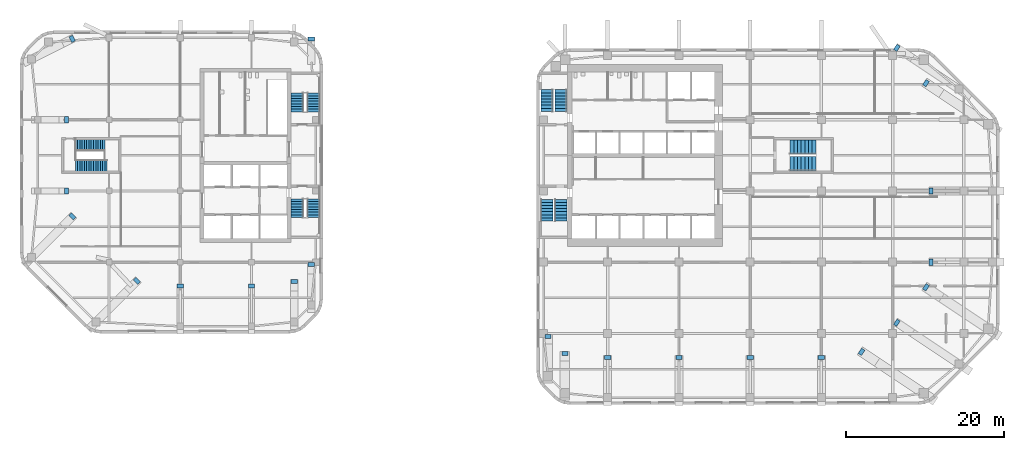
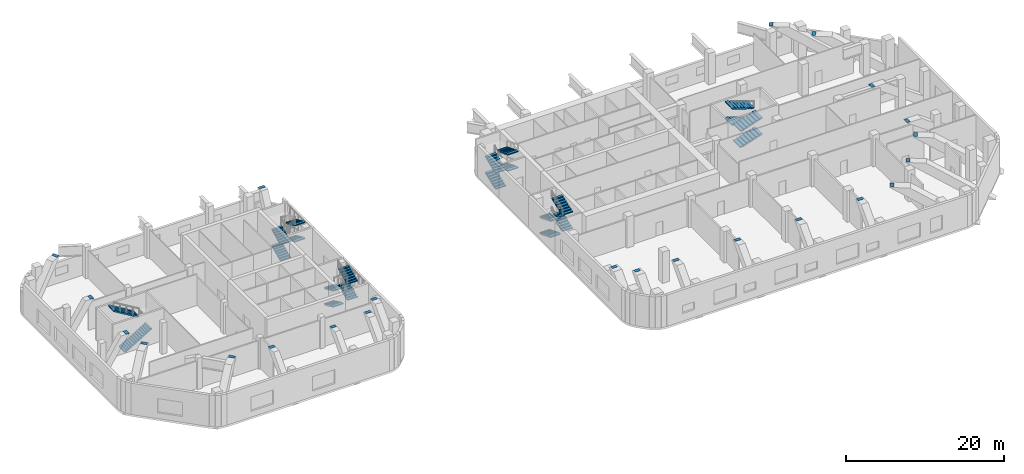
# One storey, part 11 of 14: 23 discrete accessories, 22 stair flights, 6 elements without a shape of their own.
"""IFC4 building model written with IfcOpenShell, lengths in metres."""

from ifc_helpers import new_model, si_unit, direction, frame, origin, origin_2d, place, context, subcontext, project, spatial, polyline, rectangle, outline, extrude, material, type_object, element, aggregate, save


model = new_model("IFC4")

# Units and contexts
model_context = context("Model", 3, precision=1e-05, world=origin(), true_north=direction((0.0, 1.0)))
body_context = subcontext(model_context, "Body", "Model", "MODEL_VIEW")
ifc_project = project(units=[si_unit("LENGTHUNIT", "METRE"), si_unit("AREAUNIT", "SQUARE_METRE"), si_unit("VOLUMEUNIT", "CUBIC_METRE"), si_unit("PLANEANGLEUNIT", "RADIAN"), si_unit("MASSUNIT", "GRAM", prefix="KILO")], contexts=[model_context])

# Site, building, storey
site_placement = place(None, origin())
site = spatial("IfcSite", under=ifc_project, at=site_placement, CompositionType="ELEMENT")
building_placement = place(site_placement, origin())
building = spatial("IfcBuilding", under=site, at=building_placement, Name="Cinnabar Reach Civic Tower", CompositionType="ELEMENT")
storey_placement = place(building_placement, frame((0.0, 0.0, 95.0)))
storey = spatial("IfcBuildingStorey", under=building, at=storey_placement, Name="L22", CompositionType="ELEMENT", Elevation=95.0)

# Stair, stair flights
ifc_material_1 = material(Name="Concrete C40/50", Category="concrete")
stair_type_1 = type_object("IfcStairType", Name="T1 Exit stair, double return", PredefinedType="DOUBLE_RETURN_STAIR", material=ifc_material_1)
stair_1_placement = place(storey_placement, origin())
stair_1 = element("IfcStair", 1, at=stair_1_placement, inside=storey, type_object=stair_type_1, Name="Stair T1-S1", PredefinedType="DOUBLE_RETURN_STAIR")
stair_flight_type_1 = type_object("IfcStairFlightType", Name="T1 Stair flight, concrete", PredefinedType="STRAIGHT", material=ifc_material_1)
stair_flight_1_placement = place(storey_placement, frame((1.3125, 25.95, 0.0), z_axis=(0.0, 0.0, 1.0), x_axis=(0.0, -1.0, 0.0)))
stair_flight_1 = element("IfcStairFlight", 2, at=stair_flight_1_placement, type_object=stair_flight_type_1, Name="T1-S1 flight 1", NumberOfRisers=8, NumberOfTreads=7, PredefinedType="STRAIGHT", RiserHeight=0.15625, TreadLength=0.392142857, context=body_context, shape_type="SweptSolid", body=[
    extrude(outline(polyline([(0.0, 0.0), (0.0, 0.1562), (0.3921, 0.1562), (0.3921, 0.3125), (0.7843, 0.3125), (0.7843, 0.4688), (1.1764, 0.4688), (1.1764, 0.625), (1.5686, 0.625), (1.5686, 0.7812), (1.9607, 0.7812), (1.9607, 0.9375), (2.3529, 0.9375), (2.3529, 1.0938), (2.745, 1.0938), (2.745, 1.25), (2.745, 0.9323), (0.4052, 0.0), (0.0, 0.0)])), frame((0.0, 0.7625, 0.0), z_axis=(0.0, -1.0, 0.0), x_axis=(1.0, 0.0, 0.0)), (0.0, 0.0, 1.0), 1.525),
])
stair_flight_2_placement = place(storey_placement, frame((3.0875, 23.205, 1.25), z_axis=(0.0, 0.0, 1.0), x_axis=(0.0, 1.0, 0.0)))
stair_flight_2 = element("IfcStairFlight", 3, at=stair_flight_2_placement, type_object=stair_flight_type_1, Name="T1-S1 flight 2", NumberOfRisers=8, NumberOfTreads=7, PredefinedType="STRAIGHT", RiserHeight=0.15625, TreadLength=0.392142857, context=body_context, shape_type="SweptSolid", body=[
    extrude(outline(polyline([(0.0, 0.0), (0.0, 0.1562), (0.3921, 0.1562), (0.3921, 0.3125), (0.7843, 0.3125), (0.7843, 0.4688), (1.1764, 0.4688), (1.1764, 0.625), (1.5686, 0.625), (1.5686, 0.7812), (1.9607, 0.7812), (1.9607, 0.9375), (2.3529, 0.9375), (2.3529, 1.0938), (2.745, 1.0938), (2.745, 1.25), (2.745, 0.9323), (0.4052, 0.0), (0.0, 0.0)])), frame((0.0, 0.7625, 0.0), z_axis=(0.0, -1.0, 0.0), x_axis=(1.0, 0.0, 0.0)), (0.0, 0.0, 1.0), 1.525),
])
stair_flight_3_placement = place(storey_placement, frame((1.3125, 25.95, 2.5), z_axis=(0.0, 0.0, 1.0), x_axis=(0.0, -1.0, 0.0)))
stair_flight_3 = element("IfcStairFlight", 4, at=stair_flight_3_placement, type_object=stair_flight_type_1, Name="T1-S1 flight 3", NumberOfRisers=8, NumberOfTreads=7, PredefinedType="STRAIGHT", RiserHeight=0.15625, TreadLength=0.392142857, context=body_context, shape_type="SweptSolid", body=[
    extrude(outline(polyline([(0.0, 0.0), (0.0, 0.1562), (0.3921, 0.1562), (0.3921, 0.3125), (0.7843, 0.3125), (0.7843, 0.4688), (1.1764, 0.4688), (1.1764, 0.625), (1.5686, 0.625), (1.5686, 0.7812), (1.9607, 0.7812), (1.9607, 0.9375), (2.3529, 0.9375), (2.3529, 1.0938), (2.745, 1.0938), (2.745, 1.25), (2.745, 0.9323), (0.4052, 0.0), (0.0, 0.0)])), frame((0.0, 0.7625, 0.0), z_axis=(0.0, -1.0, 0.0), x_axis=(1.0, 0.0, 0.0)), (0.0, 0.0, 1.0), 1.525),
])
stair_flight_4_placement = place(storey_placement, frame((3.0875, 23.205, 3.75), z_axis=(0.0, 0.0, 1.0), x_axis=(0.0, 1.0, 0.0)))
stair_flight_4 = element("IfcStairFlight", 5, at=stair_flight_4_placement, type_object=stair_flight_type_1, Name="T1-S1 flight 4", NumberOfRisers=8, NumberOfTreads=7, PredefinedType="STRAIGHT", RiserHeight=0.15625, TreadLength=0.392142857, context=body_context, shape_type="SweptSolid", body=[
    extrude(outline(polyline([(0.0, 0.0), (0.0, 0.1562), (0.3921, 0.1562), (0.3921, 0.3125), (0.7843, 0.3125), (0.7843, 0.4688), (1.1764, 0.4688), (1.1764, 0.625), (1.5686, 0.625), (1.5686, 0.7812), (1.9607, 0.7812), (1.9607, 0.9375), (2.3529, 0.9375), (2.3529, 1.0938), (2.745, 1.0938), (2.745, 1.25), (2.745, 0.9323), (0.4052, 0.0), (0.0, 0.0)])), frame((0.0, 0.7625, 0.0), z_axis=(0.0, -1.0, 0.0), x_axis=(1.0, 0.0, 0.0)), (0.0, 0.0, 1.0), 1.525),
])
aggregate(stair_1, [stair_flight_1, stair_flight_2, stair_flight_3, stair_flight_4])

stair_2_placement = place(storey_placement, origin())
stair_2 = element("IfcStair", 6, at=stair_2_placement, inside=storey, type_object=stair_type_1, Name="Stair T1-S2", PredefinedType="DOUBLE_RETURN_STAIR")
stair_flight_5_placement = place(storey_placement, frame((1.3125, 37.05, 0.0), z_axis=(0.0, 0.0, 1.0), x_axis=(0.0, 1.0, 0.0)))
stair_flight_5 = element("IfcStairFlight", 7, at=stair_flight_5_placement, type_object=stair_flight_type_1, Name="T1-S2 flight 1", NumberOfRisers=8, NumberOfTreads=7, PredefinedType="STRAIGHT", RiserHeight=0.15625, TreadLength=0.392142857, context=body_context, shape_type="SweptSolid", body=[
    extrude(outline(polyline([(0.0, 0.0), (0.0, 0.1562), (0.3921, 0.1562), (0.3921, 0.3125), (0.7843, 0.3125), (0.7843, 0.4688), (1.1764, 0.4688), (1.1764, 0.625), (1.5686, 0.625), (1.5686, 0.7812), (1.9607, 0.7812), (1.9607, 0.9375), (2.3529, 0.9375), (2.3529, 1.0938), (2.745, 1.0938), (2.745, 1.25), (2.745, 0.9323), (0.4052, 0.0), (0.0, 0.0)])), frame((0.0, 0.7625, 0.0), z_axis=(0.0, -1.0, 0.0), x_axis=(1.0, 0.0, 0.0)), (0.0, 0.0, 1.0), 1.525),
])
stair_flight_6_placement = place(storey_placement, frame((3.0875, 39.795, 1.25), z_axis=(0.0, 0.0, 1.0), x_axis=(0.0, -1.0, 0.0)))
stair_flight_6 = element("IfcStairFlight", 8, at=stair_flight_6_placement, type_object=stair_flight_type_1, Name="T1-S2 flight 2", NumberOfRisers=8, NumberOfTreads=7, PredefinedType="STRAIGHT", RiserHeight=0.15625, TreadLength=0.392142857, context=body_context, shape_type="SweptSolid", body=[
    extrude(outline(polyline([(0.0, 0.0), (0.0, 0.1562), (0.3921, 0.1562), (0.3921, 0.3125), (0.7843, 0.3125), (0.7843, 0.4688), (1.1764, 0.4688), (1.1764, 0.625), (1.5686, 0.625), (1.5686, 0.7812), (1.9607, 0.7812), (1.9607, 0.9375), (2.3529, 0.9375), (2.3529, 1.0938), (2.745, 1.0938), (2.745, 1.25), (2.745, 0.9323), (0.4052, 0.0), (0.0, 0.0)])), frame((0.0, 0.7625, 0.0), z_axis=(0.0, -1.0, 0.0), x_axis=(1.0, 0.0, 0.0)), (0.0, 0.0, 1.0), 1.525),
])
stair_flight_7_placement = place(storey_placement, frame((1.3125, 37.05, 2.5), z_axis=(0.0, 0.0, 1.0), x_axis=(0.0, 1.0, 0.0)))
stair_flight_7 = element("IfcStairFlight", 9, at=stair_flight_7_placement, type_object=stair_flight_type_1, Name="T1-S2 flight 3", NumberOfRisers=8, NumberOfTreads=7, PredefinedType="STRAIGHT", RiserHeight=0.15625, TreadLength=0.392142857, context=body_context, shape_type="SweptSolid", body=[
    extrude(outline(polyline([(0.0, 0.0), (0.0, 0.1562), (0.3921, 0.1562), (0.3921, 0.3125), (0.7843, 0.3125), (0.7843, 0.4688), (1.1764, 0.4688), (1.1764, 0.625), (1.5686, 0.625), (1.5686, 0.7812), (1.9607, 0.7812), (1.9607, 0.9375), (2.3529, 0.9375), (2.3529, 1.0938), (2.745, 1.0938), (2.745, 1.25), (2.745, 0.9323), (0.4052, 0.0), (0.0, 0.0)])), frame((0.0, 0.7625, 0.0), z_axis=(0.0, -1.0, 0.0), x_axis=(1.0, 0.0, 0.0)), (0.0, 0.0, 1.0), 1.525),
])
stair_flight_8_placement = place(storey_placement, frame((3.0875, 39.795, 3.75), z_axis=(0.0, 0.0, 1.0), x_axis=(0.0, -1.0, 0.0)))
stair_flight_8 = element("IfcStairFlight", 10, at=stair_flight_8_placement, type_object=stair_flight_type_1, Name="T1-S2 flight 4", NumberOfRisers=8, NumberOfTreads=7, PredefinedType="STRAIGHT", RiserHeight=0.15625, TreadLength=0.392142857, context=body_context, shape_type="SweptSolid", body=[
    extrude(outline(polyline([(0.0, 0.0), (0.0, 0.1562), (0.3921, 0.1562), (0.3921, 0.3125), (0.7843, 0.3125), (0.7843, 0.4688), (1.1764, 0.4688), (1.1764, 0.625), (1.5686, 0.625), (1.5686, 0.7812), (1.9607, 0.7812), (1.9607, 0.9375), (2.3529, 0.9375), (2.3529, 1.0938), (2.745, 1.0938), (2.745, 1.25), (2.745, 0.9323), (0.4052, 0.0), (0.0, 0.0)])), frame((0.0, 0.7625, 0.0), z_axis=(0.0, -1.0, 0.0), x_axis=(1.0, 0.0, 0.0)), (0.0, 0.0, 1.0), 1.525),
])
aggregate(stair_2, [stair_flight_5, stair_flight_6, stair_flight_7, stair_flight_8])

stair_3_placement = place(storey_placement, origin())
stair_3 = element("IfcStair", 11, at=stair_3_placement, inside=storey, type_object=stair_type_1, Name="Stair T1-S3", PredefinedType="DOUBLE_RETURN_STAIR")
stair_flight_9_placement = place(storey_placement, frame((32.05, 30.45, 0.0), z_axis=(0.0, 0.0, 1.0), x_axis=(1.0, 0.0, 0.0)))
stair_flight_9 = element("IfcStairFlight", 12, at=stair_flight_9_placement, type_object=stair_flight_type_1, Name="T1-S3 flight 1", NumberOfRisers=8, NumberOfTreads=7, PredefinedType="STRAIGHT", RiserHeight=0.15625, TreadLength=0.462857143, context=body_context, shape_type="SweptSolid", body=[
    extrude(outline(polyline([(0.0, 0.0), (0.0, 0.1562), (0.4629, 0.1562), (0.4629, 0.3125), (0.9257, 0.3125), (0.9257, 0.4688), (1.3886, 0.4688), (1.3886, 0.625), (1.8514, 0.625), (1.8514, 0.7812), (2.3143, 0.7812), (2.3143, 0.9375), (2.7771, 0.9375), (2.7771, 1.0938), (3.24, 1.0938), (3.24, 1.25), (3.24, 0.9354), (0.469, 0.0), (0.0, 0.0)])), frame((0.0, 0.9, 0.0), z_axis=(0.0, -1.0, 0.0), x_axis=(1.0, 0.0, 0.0)), (0.0, 0.0, 1.0), 1.8),
])
stair_flight_10_placement = place(storey_placement, frame((35.29, 32.55, 1.25), z_axis=(0.0, 0.0, 1.0), x_axis=(-1.0, 0.0, 0.0)))
stair_flight_10 = element("IfcStairFlight", 13, at=stair_flight_10_placement, type_object=stair_flight_type_1, Name="T1-S3 flight 2", NumberOfRisers=8, NumberOfTreads=7, PredefinedType="STRAIGHT", RiserHeight=0.15625, TreadLength=0.462857143, context=body_context, shape_type="SweptSolid", body=[
    extrude(outline(polyline([(0.0, 0.0), (0.0, 0.1562), (0.4629, 0.1562), (0.4629, 0.3125), (0.9257, 0.3125), (0.9257, 0.4688), (1.3886, 0.4688), (1.3886, 0.625), (1.8514, 0.625), (1.8514, 0.7812), (2.3143, 0.7812), (2.3143, 0.9375), (2.7771, 0.9375), (2.7771, 1.0938), (3.24, 1.0938), (3.24, 1.25), (3.24, 0.9354), (0.469, 0.0), (0.0, 0.0)])), frame((0.0, 0.9, 0.0), z_axis=(0.0, -1.0, 0.0), x_axis=(1.0, 0.0, 0.0)), (0.0, 0.0, 1.0), 1.8),
])
stair_flight_11_placement = place(storey_placement, frame((32.05, 30.45, 2.5), z_axis=(0.0, 0.0, 1.0), x_axis=(1.0, 0.0, 0.0)))
stair_flight_11 = element("IfcStairFlight", 14, at=stair_flight_11_placement, type_object=stair_flight_type_1, Name="T1-S3 flight 3", NumberOfRisers=8, NumberOfTreads=7, PredefinedType="STRAIGHT", RiserHeight=0.15625, TreadLength=0.462857143, context=body_context, shape_type="SweptSolid", body=[
    extrude(outline(polyline([(0.0, 0.0), (0.0, 0.1562), (0.4629, 0.1562), (0.4629, 0.3125), (0.9257, 0.3125), (0.9257, 0.4688), (1.3886, 0.4688), (1.3886, 0.625), (1.8514, 0.625), (1.8514, 0.7812), (2.3143, 0.7812), (2.3143, 0.9375), (2.7771, 0.9375), (2.7771, 1.0938), (3.24, 1.0938), (3.24, 1.25), (3.24, 0.9354), (0.469, 0.0), (0.0, 0.0)])), frame((0.0, 0.9, 0.0), z_axis=(0.0, -1.0, 0.0), x_axis=(1.0, 0.0, 0.0)), (0.0, 0.0, 1.0), 1.8),
])
stair_flight_12_placement = place(storey_placement, frame((35.29, 32.55, 3.75), z_axis=(0.0, 0.0, 1.0), x_axis=(-1.0, 0.0, 0.0)))
stair_flight_12 = element("IfcStairFlight", 15, at=stair_flight_12_placement, type_object=stair_flight_type_1, Name="T1-S3 flight 4", NumberOfRisers=8, NumberOfTreads=7, PredefinedType="STRAIGHT", RiserHeight=0.15625, TreadLength=0.462857143, context=body_context, shape_type="SweptSolid", body=[
    extrude(outline(polyline([(0.0, 0.0), (0.0, 0.1562), (0.4629, 0.1562), (0.4629, 0.3125), (0.9257, 0.3125), (0.9257, 0.4688), (1.3886, 0.4688), (1.3886, 0.625), (1.8514, 0.625), (1.8514, 0.7812), (2.3143, 0.7812), (2.3143, 0.9375), (2.7771, 0.9375), (2.7771, 1.0938), (3.24, 1.0938), (3.24, 1.25), (3.24, 0.9354), (0.469, 0.0), (0.0, 0.0)])), frame((0.0, 0.9, 0.0), z_axis=(0.0, -1.0, 0.0), x_axis=(1.0, 0.0, 0.0)), (0.0, 0.0, 1.0), 1.8),
])
aggregate(stair_3, [stair_flight_9, stair_flight_10, stair_flight_11, stair_flight_12])

ifc_material_2 = material(Name="Concrete C40", Category="concrete")
stair_type_2 = type_object("IfcStairType", Name="T2 Exit stair 1500", PredefinedType="HALF_TURN_STAIR", material=ifc_material_2)
stair_4_placement = place(storey_placement, origin())
stair_4 = element("IfcStair", 16, at=stair_4_placement, inside=storey, type_object=stair_type_2, Name="Exit stair 1", PredefinedType="HALF_TURN_STAIR")
stair_flight_type_2 = type_object("IfcStairFlightType", Name="T2 Stair flight 1500", PredefinedType="STRAIGHT", material=ifc_material_2)
stair_flight_13_placement = place(storey_placement, frame((-30.25, 26.0, 0.0), z_axis=(0.0, 0.0, 1.0), x_axis=(0.0, -1.0, 0.0)))
stair_flight_13 = element("IfcStairFlight", 17, at=stair_flight_13_placement, type_object=stair_flight_type_2, Name="ST1 flight 1", NumberOfRisers=8, NumberOfTreads=7, PredefinedType="STRAIGHT", RiserHeight=0.15625, TreadLength=0.3375, context=body_context, shape_type="SweptSolid", body=[
    extrude(outline(polyline([(0.0, 0.0), (0.0, 0.1562), (0.3375, 0.1562), (0.3375, 0.3125), (0.675, 0.3125), (0.675, 0.4688), (1.0125, 0.4688), (1.0125, 0.625), (1.35, 0.625), (1.35, 0.7812), (1.6875, 0.7812), (1.6875, 0.9375), (2.025, 0.9375), (2.025, 1.0938), (2.3625, 1.0938), (2.3625, 1.25), (2.3625, 0.9285), (0.357, 0.0), (0.0, 0.0)])), frame((0.0, 0.75, 0.0), z_axis=(0.0, -1.0, 0.0), x_axis=(1.0, 0.0, 0.0)), (0.0, 0.0, 1.0), 1.5),
])
stair_flight_14_placement = place(storey_placement, frame((-28.15, 23.6375, 1.25), z_axis=(0.0, 0.0, 1.0), x_axis=(0.0, 1.0, 0.0)))
stair_flight_14 = element("IfcStairFlight", 18, at=stair_flight_14_placement, type_object=stair_flight_type_2, Name="ST1 flight 2", NumberOfRisers=8, NumberOfTreads=7, PredefinedType="STRAIGHT", RiserHeight=0.15625, TreadLength=0.3375, context=body_context, shape_type="SweptSolid", body=[
    extrude(outline(polyline([(0.0, 0.0), (0.0, 0.1562), (0.3375, 0.1562), (0.3375, 0.3125), (0.675, 0.3125), (0.675, 0.4688), (1.0125, 0.4688), (1.0125, 0.625), (1.35, 0.625), (1.35, 0.7812), (1.6875, 0.7812), (1.6875, 0.9375), (2.025, 0.9375), (2.025, 1.0938), (2.3625, 1.0938), (2.3625, 1.25), (2.3625, 0.9285), (0.357, 0.0), (0.0, 0.0)])), frame((0.0, 0.75, 0.0), z_axis=(0.0, -1.0, 0.0), x_axis=(1.0, 0.0, 0.0)), (0.0, 0.0, 1.0), 1.5),
])
stair_flight_15_placement = place(storey_placement, frame((-30.25, 26.0, 2.5), z_axis=(0.0, 0.0, 1.0), x_axis=(0.0, -1.0, 0.0)))
stair_flight_15 = element("IfcStairFlight", 19, at=stair_flight_15_placement, type_object=stair_flight_type_2, Name="ST1 flight 3", NumberOfRisers=8, NumberOfTreads=7, PredefinedType="STRAIGHT", RiserHeight=0.15625, TreadLength=0.3375, context=body_context, shape_type="SweptSolid", body=[
    extrude(outline(polyline([(0.0, 0.0), (0.0, 0.1562), (0.3375, 0.1562), (0.3375, 0.3125), (0.675, 0.3125), (0.675, 0.4688), (1.0125, 0.4688), (1.0125, 0.625), (1.35, 0.625), (1.35, 0.7812), (1.6875, 0.7812), (1.6875, 0.9375), (2.025, 0.9375), (2.025, 1.0938), (2.3625, 1.0938), (2.3625, 1.25), (2.3625, 0.9285), (0.357, 0.0), (0.0, 0.0)])), frame((0.0, 0.75, 0.0), z_axis=(0.0, -1.0, 0.0), x_axis=(1.0, 0.0, 0.0)), (0.0, 0.0, 1.0), 1.5),
])
stair_flight_16_placement = place(storey_placement, frame((-28.15, 23.6375, 3.75), z_axis=(0.0, 0.0, 1.0), x_axis=(0.0, 1.0, 0.0)))
stair_flight_16 = element("IfcStairFlight", 20, at=stair_flight_16_placement, type_object=stair_flight_type_2, Name="ST1 flight 4", NumberOfRisers=8, NumberOfTreads=7, PredefinedType="STRAIGHT", RiserHeight=0.15625, TreadLength=0.3375, context=body_context, shape_type="SweptSolid", body=[
    extrude(outline(polyline([(0.0, 0.0), (0.0, 0.1562), (0.3375, 0.1562), (0.3375, 0.3125), (0.675, 0.3125), (0.675, 0.4688), (1.0125, 0.4688), (1.0125, 0.625), (1.35, 0.625), (1.35, 0.7812), (1.6875, 0.7812), (1.6875, 0.9375), (2.025, 0.9375), (2.025, 1.0938), (2.3625, 1.0938), (2.3625, 1.25), (2.3625, 0.9285), (0.357, 0.0), (0.0, 0.0)])), frame((0.0, 0.75, 0.0), z_axis=(0.0, -1.0, 0.0), x_axis=(1.0, 0.0, 0.0)), (0.0, 0.0, 1.0), 1.5),
])
aggregate(stair_4, [stair_flight_13, stair_flight_14, stair_flight_15, stair_flight_16])

stair_5_placement = place(storey_placement, origin())
stair_5 = element("IfcStair", 21, at=stair_5_placement, inside=storey, type_object=stair_type_2, Name="Exit stair 2", PredefinedType="HALF_TURN_STAIR")
stair_flight_17_placement = place(storey_placement, frame((-30.25, 37.0, 0.0), z_axis=(0.0, 0.0, 1.0), x_axis=(0.0, 1.0, 0.0)))
stair_flight_17 = element("IfcStairFlight", 22, at=stair_flight_17_placement, type_object=stair_flight_type_2, Name="ST2 flight 1", NumberOfRisers=8, NumberOfTreads=7, PredefinedType="STRAIGHT", RiserHeight=0.15625, TreadLength=0.3375, context=body_context, shape_type="SweptSolid", body=[
    extrude(outline(polyline([(0.0, 0.0), (0.0, 0.1562), (0.3375, 0.1562), (0.3375, 0.3125), (0.675, 0.3125), (0.675, 0.4688), (1.0125, 0.4688), (1.0125, 0.625), (1.35, 0.625), (1.35, 0.7812), (1.6875, 0.7812), (1.6875, 0.9375), (2.025, 0.9375), (2.025, 1.0938), (2.3625, 1.0938), (2.3625, 1.25), (2.3625, 0.9285), (0.357, 0.0), (0.0, 0.0)])), frame((0.0, 0.75, 0.0), z_axis=(0.0, -1.0, 0.0), x_axis=(1.0, 0.0, 0.0)), (0.0, 0.0, 1.0), 1.5),
])
stair_flight_18_placement = place(storey_placement, frame((-28.15, 39.3625, 1.25), z_axis=(0.0, 0.0, 1.0), x_axis=(0.0, -1.0, 0.0)))
stair_flight_18 = element("IfcStairFlight", 23, at=stair_flight_18_placement, type_object=stair_flight_type_2, Name="ST2 flight 2", NumberOfRisers=8, NumberOfTreads=7, PredefinedType="STRAIGHT", RiserHeight=0.15625, TreadLength=0.3375, context=body_context, shape_type="SweptSolid", body=[
    extrude(outline(polyline([(0.0, 0.0), (0.0, 0.1562), (0.3375, 0.1562), (0.3375, 0.3125), (0.675, 0.3125), (0.675, 0.4688), (1.0125, 0.4688), (1.0125, 0.625), (1.35, 0.625), (1.35, 0.7812), (1.6875, 0.7812), (1.6875, 0.9375), (2.025, 0.9375), (2.025, 1.0938), (2.3625, 1.0938), (2.3625, 1.25), (2.3625, 0.9285), (0.357, 0.0), (0.0, 0.0)])), frame((0.0, 0.75, 0.0), z_axis=(0.0, -1.0, 0.0), x_axis=(1.0, 0.0, 0.0)), (0.0, 0.0, 1.0), 1.5),
])
stair_flight_19_placement = place(storey_placement, frame((-30.25, 37.0, 2.5), z_axis=(0.0, 0.0, 1.0), x_axis=(0.0, 1.0, 0.0)))
stair_flight_19 = element("IfcStairFlight", 24, at=stair_flight_19_placement, type_object=stair_flight_type_2, Name="ST2 flight 3", NumberOfRisers=8, NumberOfTreads=7, PredefinedType="STRAIGHT", RiserHeight=0.15625, TreadLength=0.3375, context=body_context, shape_type="SweptSolid", body=[
    extrude(outline(polyline([(0.0, 0.0), (0.0, 0.1562), (0.3375, 0.1562), (0.3375, 0.3125), (0.675, 0.3125), (0.675, 0.4688), (1.0125, 0.4688), (1.0125, 0.625), (1.35, 0.625), (1.35, 0.7812), (1.6875, 0.7812), (1.6875, 0.9375), (2.025, 0.9375), (2.025, 1.0938), (2.3625, 1.0938), (2.3625, 1.25), (2.3625, 0.9285), (0.357, 0.0), (0.0, 0.0)])), frame((0.0, 0.75, 0.0), z_axis=(0.0, -1.0, 0.0), x_axis=(1.0, 0.0, 0.0)), (0.0, 0.0, 1.0), 1.5),
])
stair_flight_20_placement = place(storey_placement, frame((-28.15, 39.3625, 3.75), z_axis=(0.0, 0.0, 1.0), x_axis=(0.0, -1.0, 0.0)))
stair_flight_20 = element("IfcStairFlight", 25, at=stair_flight_20_placement, type_object=stair_flight_type_2, Name="ST2 flight 4", NumberOfRisers=8, NumberOfTreads=7, PredefinedType="STRAIGHT", RiserHeight=0.15625, TreadLength=0.3375, context=body_context, shape_type="SweptSolid", body=[
    extrude(outline(polyline([(0.0, 0.0), (0.0, 0.1562), (0.3375, 0.1562), (0.3375, 0.3125), (0.675, 0.3125), (0.675, 0.4688), (1.0125, 0.4688), (1.0125, 0.625), (1.35, 0.625), (1.35, 0.7812), (1.6875, 0.7812), (1.6875, 0.9375), (2.025, 0.9375), (2.025, 1.0938), (2.3625, 1.0938), (2.3625, 1.25), (2.3625, 0.9285), (0.357, 0.0), (0.0, 0.0)])), frame((0.0, 0.75, 0.0), z_axis=(0.0, -1.0, 0.0), x_axis=(1.0, 0.0, 0.0)), (0.0, 0.0, 1.0), 1.5),
])
aggregate(stair_5, [stair_flight_17, stair_flight_18, stair_flight_19, stair_flight_20])

stair_6_placement = place(storey_placement, origin())
stair_6 = element("IfcStair", 26, at=stair_6_placement, inside=storey, type_object=stair_type_2, Name="Exit stair 3", PredefinedType="HALF_TURN_STAIR")
stair_flight_21_placement = place(storey_placement, frame((-58.25, 30.125, 0.0), z_axis=(0.0, 0.0, 1.0), x_axis=(1.0, 0.0, 0.0)))
stair_flight_21 = element("IfcStairFlight", 27, at=stair_flight_21_placement, type_object=stair_flight_type_2, Name="ST3 flight 1", NumberOfRisers=15, NumberOfTreads=14, PredefinedType="STRAIGHT", RiserHeight=0.172413793, TreadLength=0.285714286, context=body_context, shape_type="SweptSolid", body=[
    extrude(outline(polyline([(0.0, 0.0), (0.0, 0.1724), (0.2857, 0.1724), (0.2857, 0.3448), (0.5714, 0.3448), (0.5714, 0.5172), (0.8571, 0.5172), (0.8571, 0.6897), (1.1429, 0.6897), (1.1429, 0.8621), (1.4286, 0.8621), (1.4286, 1.0345), (1.7143, 1.0345), (1.7143, 1.2069), (2.0, 1.2069), (2.0, 1.3793), (2.2857, 1.3793), (2.2857, 1.5517), (2.5714, 1.5517), (2.5714, 1.7241), (2.8571, 1.7241), (2.8571, 1.8966), (3.1429, 1.8966), (3.1429, 2.069), (3.4286, 2.069), (3.4286, 2.2414), (3.7143, 2.2414), (3.7143, 2.4138), (4.0, 2.4138), (4.0, 2.5862), (4.0, 2.2386), (0.2903, 0.0), (0.0, 0.0)])), frame((0.0, 0.75, 0.0), z_axis=(0.0, -1.0, 0.0), x_axis=(1.0, 0.0, 0.0)), (0.0, 0.0, 1.0), 1.5),
])
stair_flight_22_placement = place(storey_placement, frame((-54.5357, 32.875, 2.5862), z_axis=(0.0, 0.0, 1.0), x_axis=(-1.0, 0.0, 0.0)))
stair_flight_22 = element("IfcStairFlight", 28, at=stair_flight_22_placement, type_object=stair_flight_type_2, Name="ST3 flight 2", NumberOfRisers=14, NumberOfTreads=13, PredefinedType="STRAIGHT", RiserHeight=0.172413793, TreadLength=0.285714286, context=body_context, shape_type="SweptSolid", body=[
    extrude(outline(polyline([(0.0, 0.0), (0.0, 0.1724), (0.2857, 0.1724), (0.2857, 0.3448), (0.5714, 0.3448), (0.5714, 0.5172), (0.8571, 0.5172), (0.8571, 0.6897), (1.1429, 0.6897), (1.1429, 0.8621), (1.4286, 0.8621), (1.4286, 1.0345), (1.7143, 1.0345), (1.7143, 1.2069), (2.0, 1.2069), (2.0, 1.3793), (2.2857, 1.3793), (2.2857, 1.5517), (2.5714, 1.5517), (2.5714, 1.7241), (2.8571, 1.7241), (2.8571, 1.8966), (3.1429, 1.8966), (3.1429, 2.069), (3.4286, 2.069), (3.4286, 2.2414), (3.7143, 2.2414), (3.7143, 2.4138), (3.7143, 2.0662), (0.2903, 0.0), (0.0, 0.0)])), frame((0.0, 0.75, 0.0), z_axis=(0.0, -1.0, 0.0), x_axis=(1.0, 0.0, 0.0)), (0.0, 0.0, 1.0), 1.5),
])
aggregate(stair_6, [stair_flight_21, stair_flight_22])

# Discrete accessories
ifc_material_3 = material(Name="Steel Q355B", Category="steel")
discrete_accessory_type = type_object("IfcDiscreteAccessoryType", Name="Raked column head plate", PredefinedType="USERDEFINED", material=ifc_material_3)
for number, where, z_axis, x_axis, name in (
    (29, (3.6019, 6.4423, 4.98), (0.0, 0.0, 1.0), (0.0, 1.0, 0.0), "Raked column head plate"),
    (30, (41.0657, 6.6747, 4.98), (0.0, 0.0, 1.0), (-0.83205094808, 0.554699215611, 0.0), "Raked column head plate"),
    (31, (49.2145, 14.8235, 4.98), (0.0, 0.0, 1.0), (-0.83205094808, 0.554699215611, 0.0), "Raked column head plate"),
    (32, (49.2145, 40.6197, 4.98), (0.0, 0.0, 1.0), (-0.83205094808, 0.554699215611, 0.0), "Raked column head plate"),
    (33, (1.4531, 8.5911, 4.98), (0.0, 0.0, 1.0), (0.0, 1.0, 0.0), "Raked column head plate"),
    (34, (9.0, 5.9892, 4.98), (0.0, 0.0, 1.0), (0.0, 1.0, 0.0), "Raked column head plate"),
    (35, (18.0, 5.9892, 4.98), (0.0, 0.0, 1.0), (0.0, 1.0, 0.0), "Raked column head plate"),
    (36, (27.0, 5.9892, 4.98), (0.0, 0.0, 1.0), (0.0, 1.0, 0.0), "Raked column head plate"),
    (37, (36.0, 5.9892, 4.98), (0.0, 0.0, 1.0), (0.0, 1.0, 0.0), "Raked column head plate"),
    (38, (45.5312, 10.358, 4.98), (0.0, 0.0, 1.0), (-0.83205094808, 0.554699215611, 0.0), "Raked column head plate"),
    (39, (49.8412, 18.0, 4.98), (0.0, 0.0, 1.0), (-1.0, 0.0, 0.0), "Raked column head plate"),
    (40, (49.8412, 27.0, 4.98), (0.0, 0.0, 1.0), (-1.0, 0.0, 0.0), "Raked column head plate"),
    (41, (45.5312, 45.0852, 4.98), (0.0, 0.0, 1.0), (-0.83205094808, 0.554699215611, 0.0), "Raked column head plate"),
    (42, (-50.4786, 15.6226, 4.98), (0.0, 0.0, 1.0), (0.707106781187, 0.707106781187, 0.0), "Raked column head plate"),
    (43, (-30.6019, 15.5423, 4.98), (0.0, 0.0, 1.0), (0.0, 1.0, 0.0), "Raked column head plate"),
    (44, (-28.4531, 17.6911, 4.98), (0.0, 0.0, 1.0), (0.0, 1.0, 0.0), "Raked column head plate"),
    (45, (-28.4531, 46.2177, 4.98), (0.0, 0.0, 1.0), (0.0, 1.0, 0.0), "Raked column head plate"),
    (46, (-58.6658, 46.2137, 4.98), (0.0, 0.0, 1.0), (0.894427590455, 0.44721279659, 0.0), "Raked column head plate"),
    (47, (-58.6274, 23.7714, 4.98), (0.0, 0.0, 1.0), (0.707106781187, 0.707106781187, 0.0), "Raked column head plate"),
    (48, (-45.0, 14.9892, 4.98), (0.0, 0.0, 1.0), (0.0, 1.0, 0.0), "Raked column head plate"),
    (49, (-36.0, 14.9892, 4.98), (0.0, 0.0, 1.0), (0.0, 1.0, 0.0), "Raked column head plate"),
    (50, (-59.4026, 27.0, 4.98), (0.0, 0.0, 1.0), (1.0, 0.0, 0.0), "Raked column head plate"),
    (51, (-59.4026, 36.0, 4.98), (0.0, 0.0, 1.0), (1.0, 0.0, 0.0), "Raked column head plate"),
):
    element("IfcDiscreteAccessory", number, at=place(storey_placement, frame(where, z_axis=z_axis, x_axis=x_axis)), inside=storey, type_object=discrete_accessory_type, Name=name, ObjectType="HEAD PLATE", PredefinedType="USERDEFINED", context=body_context, shape_type="SweptSolid", body=[
        extrude(rectangle(XDim=0.5, YDim=0.8, at=origin_2d()), origin(), (0.0, 0.0, 1.0), 0.02),
    ])

save(model, "model.ifc")
